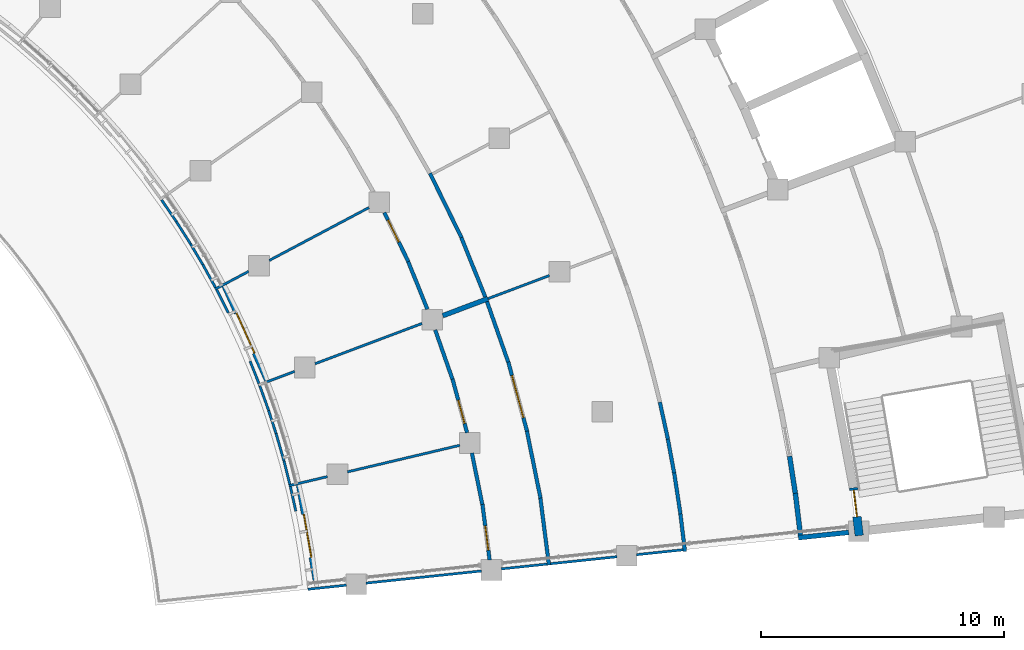
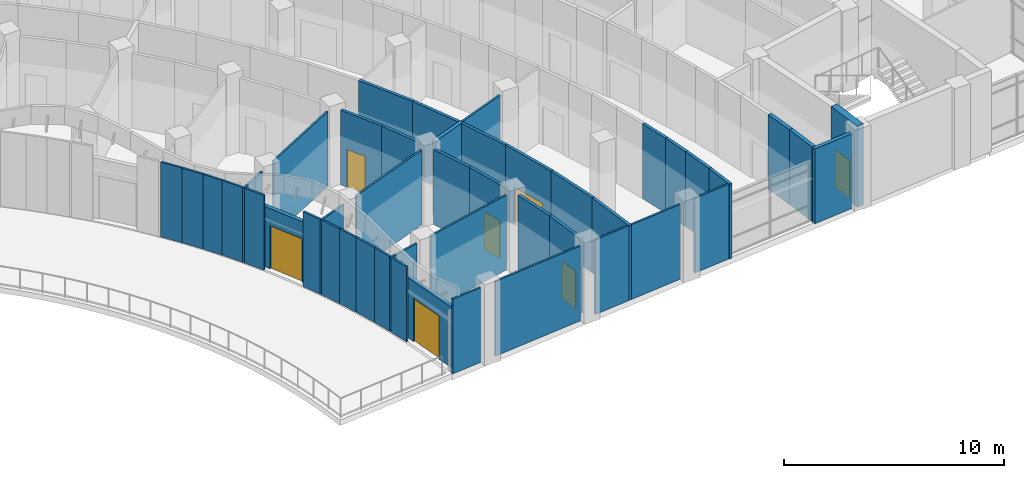
# One storey, part 76 of 136: 46 walls, 7 doors, 7 openings.
"""IFC4 building model written with IfcOpenShell, lengths in metres."""

from ifc_helpers import new_model, si_unit, direction, frame, frame_2d, origin, place, context, subcontext, project, spatial, rectangle, extrude, material, layer, layer_set, type_object, element, fill, save


model = new_model("IFC4")

# Units and contexts
model_context = context("Model", 3, precision=1e-05, world=origin(), true_north=direction((0.0, 1.0)))
body_context = subcontext(model_context, "Body", "Model", "MODEL_VIEW")
ifc_project = project(units=[si_unit("LENGTHUNIT", "METRE"), si_unit("AREAUNIT", "SQUARE_METRE"), si_unit("VOLUMEUNIT", "CUBIC_METRE"), si_unit("PLANEANGLEUNIT", "RADIAN"), si_unit("MASSUNIT", "GRAM", prefix="KILO")], contexts=[model_context])

# Site, building, storey
site_placement = place(None, origin())
site = spatial("IfcSite", under=ifc_project, at=site_placement, CompositionType="ELEMENT")
building_placement = place(site_placement, origin())
building = spatial("IfcBuilding", under=site, at=building_placement, Name="Bougainvillea Quay General Hospital", CompositionType="ELEMENT")
storey_placement = place(building_placement, frame((0.0, 0.0, 5.39990234375)))
storey = spatial("IfcBuildingStorey", under=building, at=storey_placement, Name="L01", CompositionType="ELEMENT", Elevation=5.39990234375)

# Wall, opening, door
ifc_material_1 = material(Name="Insulated aluminium panel cladding, anodised silver", Category="aluminium")
ifc_layer_1 = layer(ifc_material_1, 0.199951171875)
ifc_layer_set_1 = layer_set([ifc_layer_1], Name="Insulated aluminium panel cladding, anodised silver")
wall_type_1 = type_object("IfcWallType", Name="Entrance portal wall 200", PredefinedType="STANDARD", material=ifc_layer_set_1)
wall_1_placement = place(storey_placement, frame((139.549072265625, 38.089111328125, 0.0), z_axis=(0.0, 0.0, 1.0), x_axis=(0.411110484999, -0.911585524854, 0.0)))
wall_1 = element("IfcWall", 1, at=wall_1_placement, inside=storey, type_object=wall_type_1, Name="External wall wall/V6/L01/p2g1b5/00a", PredefinedType="STANDARD", context=body_context, shape_type="SweptSolid", body=[
    extrude(rectangle(XDim=4.368408203125, YDim=0.199951171875, at=frame_2d((2.18408203125, 0.0))), origin(), (0.0, 0.0, 1.0), 3.35009765625),
])
opening_1_placement = place(wall_1_placement, frame((1.283935546875, 0.0, 0.0)))
opening_1 = element("IfcOpeningElement", 2, at=opening_1_placement, cuts=wall_1, Name="Opening L01.336", PredefinedType="OPENING", context=body_context, shape_type="SweptSolid", body=[
    extrude(rectangle(XDim=1.800048828125, YDim=2.39990234375, at=frame_2d((0.89990234375, 1.199951171875))), frame((0.0, 0.10986328125, 0.0), z_axis=(0.0, -1.0, 0.0), x_axis=(1.0, 0.0, 0.0)), (0.0, 0.0, 1.0), 0.219970703125),
])
ifc_material_2 = material(Name="Aluminium and glass door set", Category="aluminium")
door_type_1 = type_object("IfcDoorType", Name="Terrace door 1800x2400", OperationType="DOUBLE_DOOR_SINGLE_SWING", PredefinedType="DOOR", material=ifc_material_2)
door_1_placement = place(opening_1_placement, origin())
door_1 = element("IfcDoor", 3, at=door_1_placement, inside=storey, type_object=door_type_1, Name="Quay Terrace door 3", OperationType="SINGLE_SWING_LEFT", OverallHeight=2.39990234375, OverallWidth=1.800048828125, PredefinedType="DOOR", context=body_context, shape_type="SweptSolid", body=[
    extrude(rectangle(XDim=1.800048828125, YDim=2.39990234375, at=frame_2d((0.89990234375, 1.199951171875))), frame((0.0, 0.02490234375, 0.0), z_axis=(0.0, -1.0, 0.0), x_axis=(1.0, 0.0, 0.0)), (0.0, 0.0, 1.0), 0.050048828125),
])
fill(opening_1, door_1)

wall_2_placement = place(storey_placement, frame((142.6279296875, 29.906005859375, 0.0), z_axis=(0.0, 0.0, 1.0), x_axis=(0.172540568976, -0.985002412209, 0.0)))
wall_2 = element("IfcWall", 4, at=wall_2_placement, inside=storey, type_object=wall_type_1, Name="External wall wall/V6/L01/p2g1b7/00a", PredefinedType="STANDARD", context=body_context, shape_type="SweptSolid", body=[
    extrude(rectangle(XDim=4.0283203125, YDim=0.199951171875, at=frame_2d((2.01416015625, 0.0))), origin(), (0.0, 0.0, 1.0), 3.35009765625),
])
opening_2_placement = place(wall_2_placement, frame((1.283935546875, 0.0, 0.0)))
opening_2 = element("IfcOpeningElement", 5, at=opening_2_placement, cuts=wall_2, Name="Opening L01.337", PredefinedType="OPENING", context=body_context, shape_type="SweptSolid", body=[
    extrude(rectangle(XDim=1.800048828125, YDim=2.39990234375, at=frame_2d((0.89990234375, 1.199951171875))), frame((0.0, 0.10986328125, 0.0), z_axis=(0.0, -1.0, 0.0), x_axis=(1.0, 0.0, 0.0)), (0.0, 0.0, 1.0), 0.219970703125),
])
door_2_placement = place(opening_2_placement, origin())
door_2 = element("IfcDoor", 6, at=door_2_placement, inside=storey, type_object=door_type_1, Name="Quay Terrace door 4", OperationType="SINGLE_SWING_LEFT", OverallHeight=2.39990234375, OverallWidth=1.800048828125, PredefinedType="DOOR", context=body_context, shape_type="SweptSolid", body=[
    extrude(rectangle(XDim=1.800048828125, YDim=2.39990234375, at=frame_2d((0.89990234375, 1.199951171875))), frame((0.0, 0.02490234375, 0.0), z_axis=(0.0, -1.0, 0.0), x_axis=(1.0, 0.0, 0.0)), (0.0, 0.0, 1.0), 0.050048828125),
])
fill(opening_2, door_2)

# Walls
ifc_material_3 = material(Name="Gypsum board partition on steel studs", Category="steel")
ifc_layer_2 = layer(ifc_material_3, 0.10009765625)
ifc_layer_set_2 = layer_set([ifc_layer_2], Name="Gypsum board partition on steel studs")
wall_type_2 = type_object("IfcWallType", Name="Partition 100 Gypsum board partition", PredefinedType="PARTITIONING", material=ifc_layer_set_2)
wall_3_placement = place(storey_placement, frame((153.008544921875, 26.60791015625, 0.0), z_axis=(0.0, 0.0, 1.0), x_axis=(0.99452300046, 0.104517948486, 0.0)))
element("IfcWall", 7, at=wall_3_placement, inside=storey, type_object=wall_type_2, Name="Partition 100 mm", PredefinedType="PARTITIONING", context=body_context, shape_type="SweptSolid", body=[
    extrude(rectangle(XDim=2.742431640625, YDim=0.10009765625, at=frame_2d((1.37109375, 0.0))), origin(), (0.0, 0.0, 1.0), 4.150146484375),
])
wall_4_placement = place(storey_placement, frame((156.546142578125, 26.979736328125, 0.0), z_axis=(0.0, 0.0, 1.0), x_axis=(0.994518703868, 0.104558823905, 0.0)))
element("IfcWall", 8, at=wall_4_placement, inside=storey, type_object=wall_type_2, Name="Partition 100 mm", PredefinedType="PARTITIONING", context=body_context, shape_type="SweptSolid", body=[
    extrude(rectangle(XDim=1.9169921875, YDim=0.10009765625, at=frame_2d((0.95849609375, 0.0))), origin(), (0.0, 0.0, 1.0), 4.150146484375),
])
ifc_layer_3 = layer(ifc_material_3, 0.10009765625)
ifc_layer_set_3 = layer_set([ifc_layer_3], Name="Gypsum board partition on steel studs")
wall_type_3 = type_object("IfcWallType", Name="Partition 100 Gypsum board partition EI 30", PredefinedType="PARTITIONING", material=ifc_layer_set_3)
wall_5_placement = place(storey_placement, frame((142.2373046875, 29.819580078125, 0.0), z_axis=(0.0, 0.0, 1.0), x_axis=(0.973152848226, 0.230159800984, 0.0)))
element("IfcWall", 9, at=wall_5_placement, inside=storey, type_object=wall_type_3, Name="Partition 100 mm EI 30", PredefinedType="PARTITIONING", context=body_context, shape_type="SweptSolid", body=[
    extrude(rectangle(XDim=1.627197265625, YDim=0.10009765625, at=frame_2d((0.8134765625, 0.0))), origin(), (0.0, 0.0, 1.0), 4.150146484375),
])
wall_6_placement = place(storey_placement, frame((144.643310546875, 30.388916015625, 0.0), z_axis=(0.0, 0.0, 1.0), x_axis=(0.973139038387, 0.230218183398, 0.0)))
element("IfcWall", 10, at=wall_6_placement, inside=storey, type_object=wall_type_3, Name="Partition 100 mm EI 30", PredefinedType="PARTITIONING", context=body_context, shape_type="SweptSolid", body=[
    extrude(rectangle(XDim=4.755126953125, YDim=0.10009765625, at=frame_2d((2.37744140625, 0.0))), origin(), (0.0, 0.0, 1.0), 4.150146484375),
])
wall_7_placement = place(storey_placement, frame((139.19287109375, 37.90771484375, 0.0), z_axis=(0.0, 0.0, 1.0), x_axis=(0.883481589726, 0.468465879884, 0.0)))
element("IfcWall", 11, at=wall_7_placement, inside=storey, type_object=wall_type_3, Name="Partition 100 mm EI 30", PredefinedType="PARTITIONING", context=body_context, shape_type="SweptSolid", body=[
    extrude(rectangle(XDim=1.5712890625, YDim=0.10009765625, at=frame_2d((0.78564453125, 0.0))), origin(), (0.0, 0.0, 1.0), 4.150146484375),
])
wall_8_placement = place(storey_placement, frame((141.427001953125, 39.092529296875, 0.0), z_axis=(0.0, 0.0, 1.0), x_axis=(0.88344099274, 0.46854243388, 0.0)))
element("IfcWall", 12, at=wall_8_placement, inside=storey, type_object=wall_type_3, Name="Partition 100 mm EI 30", PredefinedType="PARTITIONING", context=body_context, shape_type="SweptSolid", body=[
    extrude(rectangle(XDim=4.64208984375, YDim=0.10009765625, at=frame_2d((2.321044921875, 0.0))), origin(), (0.0, 0.0, 1.0), 4.150146484375),
])
wall_9_placement = place(storey_placement, frame((143.012939453125, 25.555908203125, 0.0), z_axis=(0.0, 0.0, 1.0), x_axis=(0.994495375694, 0.104780473964, 0.0)))
element("IfcWall", 13, at=wall_9_placement, inside=storey, type_object=wall_type_3, Name="Partition 100 mm EI 30", PredefinedType="PARTITIONING", context=body_context, shape_type="SweptSolid", body=[
    extrude(rectangle(XDim=1.59375, YDim=0.10009765625, at=frame_2d((0.796875, 0.0))), origin(), (0.0, 0.0, 1.0), 4.150146484375),
])
wall_10_placement = place(storey_placement, frame((145.408203125, 25.80810546875, 0.0), z_axis=(0.0, 0.0, 1.0), x_axis=(0.994509645665, 0.104644945786, 0.0)))
element("IfcWall", 14, at=wall_10_placement, inside=storey, type_object=wall_type_3, Name="Partition 100 mm EI 30", PredefinedType="PARTITIONING", context=body_context, shape_type="SweptSolid", body=[
    extrude(rectangle(XDim=4.78515625, YDim=0.10009765625, at=frame_2d((2.392578125, 0.0))), origin(), (0.0, 0.0, 1.0), 4.150146484375),
])
wall_11_placement = place(storey_placement, frame((140.97314453125, 33.96044921875, 0.0), z_axis=(0.0, 0.0, 1.0), x_axis=(0.935890679388, 0.35229055655, 0.0)))
element("IfcWall", 15, at=wall_11_placement, inside=storey, type_object=wall_type_3, Name="Partition 100 mm EI 30", PredefinedType="PARTITIONING", context=body_context, shape_type="SweptSolid", body=[
    extrude(rectangle(XDim=1.604248046875, YDim=0.10009765625, at=frame_2d((0.80224609375, 0.0))), origin(), (0.0, 0.0, 1.0), 4.150146484375),
])
wall_12_placement = place(storey_placement, frame((143.309326171875, 34.839599609375, 0.0), z_axis=(0.0, 0.0, 1.0), x_axis=(0.935891610639, 0.352288082591, 0.0)))
element("IfcWall", 16, at=wall_12_placement, inside=storey, type_object=wall_type_3, Name="Partition 100 mm EI 30", PredefinedType="PARTITIONING", context=body_context, shape_type="SweptSolid", body=[
    extrude(rectangle(XDim=4.708251953125, YDim=0.10009765625, at=frame_2d((2.35400390625, 0.0))), origin(), (0.0, 0.0, 1.0), 4.150146484375),
])
wall_13_placement = place(storey_placement, frame((150.42724609375, 37.518798828125, 0.0), z_axis=(0.0, 0.0, 1.0), x_axis=(0.935894141782, 0.352281358262, 0.0)))
element("IfcWall", 17, at=wall_13_placement, inside=storey, type_object=wall_type_3, Name="Partition 100 mm EI 30", PredefinedType="PARTITIONING", context=body_context, shape_type="SweptSolid", body=[
    extrude(rectangle(XDim=2.702880859375, YDim=0.10009765625, at=frame_2d((1.3515625, 0.0))), origin(), (0.0, 0.0, 1.0), 4.150146484375),
])
wall_14_placement = place(storey_placement, frame((150.97705078125, 26.39404296875, 0.0), z_axis=(0.0, 0.0, 1.0), x_axis=(0.99450757419, 0.104664630505, 0.0)))
element("IfcWall", 18, at=wall_14_placement, inside=storey, type_object=wall_type_3, Name="Partition 100 mm EI 30", PredefinedType="PARTITIONING", context=body_context, shape_type="SweptSolid", body=[
    extrude(rectangle(XDim=1.891845703125, YDim=0.10009765625, at=frame_2d((0.94580078125, 0.0))), origin(), (0.0, 0.0, 1.0), 4.150146484375),
])
wall_15_placement = place(storey_placement, frame((139.260009765625, 37.8857421875, 0.0), z_axis=(0.0, 0.0, 1.0), x_axis=(0.454251585092, -0.890873446367, 0.0)))
element("IfcWall", 19, at=wall_15_placement, inside=storey, type_object=wall_type_3, Name="Partition 100 mm EI 30", PredefinedType="PARTITIONING", context=body_context, shape_type="SweptSolid", body=[
    extrude(rectangle(XDim=1.06640625, YDim=0.10009765625, at=frame_2d((0.533203125, 0.0))), origin(), (0.0, 0.0, 1.0), 4.150146484375),
])
wall_16_placement = place(storey_placement, frame((141.705078125, 31.97314453125, 0.0), z_axis=(0.0, 0.0, 1.0), x_axis=(0.276407300439, -0.961040584088, 0.0)))
element("IfcWall", 20, at=wall_16_placement, inside=storey, type_object=wall_type_3, Name="Partition 100 mm EI 30", PredefinedType="PARTITIONING", context=body_context, shape_type="SweptSolid", body=[
    extrude(rectangle(XDim=1.185302734375, YDim=0.10009765625, at=frame_2d((0.5927734375, 0.0))), origin(), (0.0, 0.0, 1.0), 4.150146484375),
])
wall_17_placement = place(storey_placement, frame((136.99365234375, 41.58203125, 0.0), z_axis=(0.0, 0.0, 1.0), x_axis=(0.564070256428, -0.825726798532, 0.0)))
element("IfcWall", 21, at=wall_17_placement, inside=storey, type_object=wall_type_3, Name="Partition 100 mm EI 30", PredefinedType="PARTITIONING", context=body_context, shape_type="SweptSolid", body=[
    extrude(rectangle(XDim=1.084228515625, YDim=0.10009765625, at=frame_2d((0.5419921875, 0.0))), origin(), (0.0, 0.0, 1.0), 4.150146484375),
])
wall_18_placement = place(storey_placement, frame((137.60302734375, 40.68701171875, 0.0), z_axis=(0.0, 0.0, 1.0), x_axis=(0.53747146193, -0.843281938388, 0.0)))
element("IfcWall", 22, at=wall_18_placement, inside=storey, type_object=wall_type_3, Name="Partition 100 mm EI 30", PredefinedType="PARTITIONING", context=body_context, shape_type="SweptSolid", body=[
    extrude(rectangle(XDim=1.08642578125, YDim=0.10009765625, at=frame_2d((0.543212890625, 0.0))), origin(), (0.0, 0.0, 1.0), 4.150146484375),
])
wall_19_placement = place(storey_placement, frame((138.68896484375, 38.9248046875, 0.0), z_axis=(0.0, 0.0, 1.0), x_axis=(0.482886802116, -0.875682782942, 0.0)))
element("IfcWall", 23, at=wall_19_placement, inside=storey, type_object=wall_type_3, Name="Partition 100 mm EI 30", PredefinedType="PARTITIONING", context=body_context, shape_type="SweptSolid", body=[
    extrude(rectangle(XDim=1.083984375, YDim=0.10009765625, at=frame_2d((0.5419921875, 0.0))), origin(), (0.0, 0.0, 1.0), 4.150146484375),
])
wall_20_placement = place(storey_placement, frame((140.639892578125, 34.94189453125, 0.0), z_axis=(0.0, 0.0, 1.0), x_axis=(0.366901413892, -0.93025983063, 0.0)))
element("IfcWall", 24, at=wall_20_placement, inside=storey, type_object=wall_type_3, Name="Partition 100 mm EI 30", PredefinedType="PARTITIONING", context=body_context, shape_type="SweptSolid", body=[
    extrude(rectangle(XDim=0.985595703125, YDim=0.10009765625, at=frame_2d((0.49267578125, 0.0))), origin(), (0.0, 0.0, 1.0), 4.150146484375),
])
wall_21_placement = place(storey_placement, frame((141.037109375, 33.93017578125, 0.0), z_axis=(0.0, 0.0, 1.0), x_axis=(0.337434932816, -0.941348854631, 0.0)))
element("IfcWall", 25, at=wall_21_placement, inside=storey, type_object=wall_type_3, Name="Partition 100 mm EI 30", PredefinedType="PARTITIONING", context=body_context, shape_type="SweptSolid", body=[
    extrude(rectangle(XDim=1.083740234375, YDim=0.10009765625, at=frame_2d((0.5419921875, 0.0))), origin(), (0.0, 0.0, 1.0), 4.150146484375),
])
wall_22_placement = place(storey_placement, frame((141.40087890625, 32.910888671875, 0.0), z_axis=(0.0, 0.0, 1.0), x_axis=(0.307089469025, -0.951680649175, 0.0)))
element("IfcWall", 26, at=wall_22_placement, inside=storey, type_object=wall_type_3, Name="Partition 100 mm EI 30", PredefinedType="PARTITIONING", context=body_context, shape_type="SweptSolid", body=[
    extrude(rectangle(XDim=0.9873046875, YDim=0.10009765625, at=frame_2d((0.49365234375, 0.0))), origin(), (0.0, 0.0, 1.0), 4.150146484375),
])
wall_23_placement = place(storey_placement, frame((142.031005859375, 30.8349609375, 0.0), z_axis=(0.0, 0.0, 1.0), x_axis=(0.246091023995, -0.969246721898, 0.0)))
element("IfcWall", 27, at=wall_23_placement, inside=storey, type_object=wall_type_3, Name="Partition 100 mm EI 30", PredefinedType="PARTITIONING", context=body_context, shape_type="SweptSolid", body=[
    extrude(rectangle(XDim=0.985107421875, YDim=0.10009765625, at=frame_2d((0.49267578125, 0.0))), origin(), (0.0, 0.0, 1.0), 4.150146484375),
])
wall_24_placement = place(storey_placement, frame((142.296875, 29.781494140625, 0.0), z_axis=(0.0, 0.0, 1.0), x_axis=(0.214929366895, -0.976629595725, 0.0)))
element("IfcWall", 28, at=wall_24_placement, inside=storey, type_object=wall_type_3, Name="Partition 100 mm EI 30", PredefinedType="PARTITIONING", context=body_context, shape_type="SweptSolid", body=[
    extrude(rectangle(XDim=1.03369140625, YDim=0.10009765625, at=frame_2d((0.516845703125, 0.0))), origin(), (0.0, 0.0, 1.0), 4.150146484375),
])
wall_25_placement = place(storey_placement, frame((138.184814453125, 39.771240234375, 0.0), z_axis=(0.0, 0.0, 1.0), x_axis=(0.51019570921, -0.860058334245, 0.0)))
element("IfcWall", 29, at=wall_25_placement, inside=storey, type_object=wall_type_3, Name="Partition 100 mm EI 30", PredefinedType="PARTITIONING", context=body_context, shape_type="SweptSolid", body=[
    extrude(rectangle(XDim=0.98681640625, YDim=0.10009765625, at=frame_2d((0.493408203125, 0.0))), origin(), (0.0, 0.0, 1.0), 4.150146484375),
])
ifc_material_4 = material(Name="Gypsum board partition on steel studs, insulated", Category="steel")
ifc_layer_4 = layer(ifc_material_4, 0.14990234375)
ifc_layer_set_4 = layer_set([ifc_layer_4], Name="Gypsum board partition on steel studs, insulated")
wall_type_4 = type_object("IfcWallType", Name="Partition 150 Gypsum board partition EI 30", PredefinedType="PARTITIONING", material=ifc_layer_set_4)
wall_26_placement = place(storey_placement, frame((148.0380859375, 42.683349609375, 0.0), z_axis=(0.0, 0.0, 1.0), x_axis=(0.440200278942, -0.897899612663, 0.0)))
element("IfcWall", 30, at=wall_26_placement, inside=storey, type_object=wall_type_4, Name="Partition 150 mm EI 30", PredefinedType="PARTITIONING", context=body_context, shape_type="SweptSolid", body=[
    extrude(rectangle(XDim=2.957763671875, YDim=0.14990234375, at=frame_2d((1.47900390625, 0.0))), origin(), (0.0, 0.0, 1.0), 4.150146484375),
])

# Wall, opening, door
wall_27_placement = place(storey_placement, frame((151.264404296875, 34.91650390625, 0.0), z_axis=(0.0, 0.0, 1.0), x_axis=(0.261098222271, -0.965312238774, 0.0)))
wall_27 = element("IfcWall", 31, at=wall_27_placement, inside=storey, type_object=wall_type_4, Name="Partition 150 mm EI 30", PredefinedType="PARTITIONING", context=body_context, shape_type="SweptSolid", body=[
    extrude(rectangle(XDim=2.95751953125, YDim=0.14990234375, at=frame_2d((1.478759765625, 0.0))), origin(), (0.0, 0.0, 1.0), 4.150146484375),
])
opening_3_placement = place(wall_27_placement, frame((0.57861328125, 0.0, 0.0)))
opening_3 = element("IfcOpeningElement", 32, at=opening_3_placement, cuts=wall_27, Name="Opening L01.234", PredefinedType="OPENING", context=body_context, shape_type="SweptSolid", body=[
    extrude(rectangle(XDim=1.800048828125, YDim=2.10009765625, at=frame_2d((0.89990234375, 1.050048828125))), frame((0.0, 0.0849609375, 0.0), z_axis=(0.0, -1.0, 0.0), x_axis=(1.0, 0.0, 0.0)), (0.0, 0.0, 1.0), 0.169921875),
])
ifc_material_5 = material(Name="Solid-core timber door leaves in steel frame", Category="steel")
door_type_2 = type_object("IfcDoorType", Name="Double leaf door 1800x2100", OperationType="DOUBLE_DOOR_SINGLE_SWING", PredefinedType="DOOR", material=ifc_material_5)
door_3_placement = place(opening_3_placement, frame((1.800048828125, 0.0, 0.0), z_axis=(0.0, 0.0, 1.0), x_axis=(-1.0, 0.0, 0.0)))
door_3 = element("IfcDoor", 33, at=door_3_placement, inside=storey, type_object=door_type_2, Name="DT08 L01.234", OperationType="DOUBLE_DOOR_SINGLE_SWING", OverallHeight=2.10009765625, OverallWidth=1.800048828125, PredefinedType="DOOR", context=body_context, shape_type="SweptSolid", body=[
    extrude(rectangle(XDim=1.800048828125, YDim=2.10009765625, at=frame_2d((0.89990234375, 1.050048828125))), frame((0.0, 0.02490234375, 0.0), z_axis=(0.0, -1.0, 0.0), x_axis=(1.0, 0.0, 0.0)), (0.0, 0.0, 1.0), 0.050048828125),
])
fill(opening_3, door_3)

# Walls
wall_28_placement = place(storey_placement, frame((152.031005859375, 32.06494140625, 0.0), z_axis=(0.0, 0.0, 1.0), x_axis=(0.199104225367, -0.979978319883, 0.0)))
element("IfcWall", 34, at=wall_28_placement, inside=storey, type_object=wall_type_4, Name="Partition 150 mm EI 30", PredefinedType="PARTITIONING", context=body_context, shape_type="SweptSolid", body=[
    extrude(rectangle(XDim=2.811767578125, YDim=0.14990234375, at=frame_2d((1.40576171875, 0.0))), origin(), (0.0, 0.0, 1.0), 4.150146484375),
])
wall_29_placement = place(storey_placement, frame((149.3330078125, 40.0302734375, 0.0), z_axis=(0.0, 0.0, 1.0), x_axis=(0.373865497673, -0.927482932269, 0.0)))
element("IfcWall", 35, at=wall_29_placement, inside=storey, type_object=wall_type_4, Name="Partition 150 mm EI 30", PredefinedType="PARTITIONING", context=body_context, shape_type="SweptSolid", body=[
    extrude(rectangle(XDim=2.635009765625, YDim=0.14990234375, at=frame_2d((1.3173828125, 0.0))), origin(), (0.0, 0.0, 1.0), 4.150146484375),
])
wall_30_placement = place(storey_placement, frame((152.5849609375, 29.313720703125, 0.0), z_axis=(0.0, 0.0, 1.0), x_axis=(0.127582082385, -0.991828015462, 0.0)))
element("IfcWall", 36, at=wall_30_placement, inside=storey, type_object=wall_type_4, Name="Partition 150 mm EI 30", PredefinedType="PARTITIONING", context=body_context, shape_type="SweptSolid", body=[
    extrude(rectangle(XDim=2.7861328125, YDim=0.14990234375, at=frame_2d((1.39306640625, 0.0))), origin(), (0.0, 0.0, 1.0), 4.150146484375),
])
wall_31_placement = place(storey_placement, frame((150.3896484375, 37.39599609375, 0.0), z_axis=(0.0, 0.0, 1.0), x_axis=(0.330759074405, -0.943715229663, 0.0)))
element("IfcWall", 37, at=wall_31_placement, inside=storey, type_object=wall_type_4, Name="Partition 150 mm EI 30", PredefinedType="PARTITIONING", context=body_context, shape_type="SweptSolid", body=[
    extrude(rectangle(XDim=2.63427734375, YDim=0.14990234375, at=frame_2d((1.317138671875, 0.0))), origin(), (0.0, 0.0, 1.0), 4.150146484375),
])

# Wall, opening, door
wall_32_placement = place(storey_placement, frame((146.162841796875, 41.059814453125, 0.0), z_axis=(0.0, 0.0, 1.0), x_axis=(0.439946079235, -0.898024190858, 0.0)))
wall_32 = element("IfcWall", 38, at=wall_32_placement, inside=storey, type_object=wall_type_4, Name="Partition 150 mm EI 30", PredefinedType="PARTITIONING", context=body_context, shape_type="SweptSolid", body=[
    extrude(rectangle(XDim=2.24853515625, YDim=0.14990234375, at=frame_2d((1.124267578125, 0.0))), origin(), (0.0, 0.0, 1.0), 4.150146484375),
])
opening_4_placement = place(wall_32_placement, frame((0.345947265625, 0.0, 0.0)))
opening_4 = element("IfcOpeningElement", 39, at=opening_4_placement, cuts=wall_32, Name="Opening L01.281", PredefinedType="OPENING", context=body_context, shape_type="SweptSolid", body=[
    extrude(rectangle(XDim=1.0, YDim=2.10009765625, at=frame_2d((0.5, 1.050048828125))), frame((0.0, 0.0849609375, 0.0), z_axis=(0.0, -1.0, 0.0), x_axis=(1.0, 0.0, 0.0)), (0.0, 0.0, 1.0), 0.169921875),
])
ifc_material_6 = material(Name="Solid-core timber door leaf in steel frame", Category="steel")
door_type_3 = type_object("IfcDoorType", Name="Single leaf door 1000x2100 FD30S", OperationType="NOTDEFINED", PredefinedType="DOOR", material=ifc_material_6)
door_4_placement = place(opening_4_placement, frame((1.0, 0.0, 0.0), z_axis=(0.0, 0.0, 1.0), x_axis=(-1.0, 0.0, 0.0)))
door_4 = element("IfcDoor", 40, at=door_4_placement, inside=storey, type_object=door_type_3, Name="DT15 L01.281", OperationType="SINGLE_SWING_RIGHT", OverallHeight=2.10009765625, OverallWidth=1.0, PredefinedType="DOOR", context=body_context, shape_type="SweptSolid", body=[
    extrude(rectangle(XDim=1.0, YDim=2.10009765625, at=frame_2d((0.5, 1.050048828125))), frame((0.0, 0.02490234375, 0.0), z_axis=(0.0, -1.0, 0.0), x_axis=(1.0, 0.0, 0.0)), (0.0, 0.0, 1.0), 0.050048828125),
])
fill(opening_4, door_4)

wall_33_placement = place(storey_placement, frame((148.968505859375, 34.21533203125, 0.0), z_axis=(0.0, 0.0, 1.0), x_axis=(0.26138863195, -0.965233641709, 0.0)))
wall_33 = element("IfcWall", 41, at=wall_33_placement, inside=storey, type_object=wall_type_4, Name="Partition 150 mm EI 30", PredefinedType="PARTITIONING", context=body_context, shape_type="SweptSolid", body=[
    extrude(rectangle(XDim=2.294921875, YDim=0.14990234375, at=frame_2d((1.1474609375, 0.0))), origin(), (0.0, 0.0, 1.0), 4.150146484375),
])
opening_5_placement = place(wall_33_placement, frame((0.902099609375, 0.0, 0.0)))
opening_5 = element("IfcOpeningElement", 42, at=opening_5_placement, cuts=wall_33, Name="Opening L01.282", PredefinedType="OPENING", context=body_context, shape_type="SweptSolid", body=[
    extrude(rectangle(XDim=1.0, YDim=2.10009765625, at=frame_2d((0.5, 1.050048828125))), frame((0.0, 0.0849609375, 0.0), z_axis=(0.0, -1.0, 0.0), x_axis=(1.0, 0.0, 0.0)), (0.0, 0.0, 1.0), 0.169921875),
])
door_5_placement = place(opening_5_placement, frame((1.0, 0.0, 0.0), z_axis=(0.0, 0.0, 1.0), x_axis=(-1.0, 0.0, 0.0)))
door_5 = element("IfcDoor", 43, at=door_5_placement, inside=storey, type_object=door_type_3, Name="DT15 L01.282", OperationType="SINGLE_SWING_LEFT", OverallHeight=2.10009765625, OverallWidth=1.0, PredefinedType="DOOR", context=body_context, shape_type="SweptSolid", body=[
    extrude(rectangle(XDim=1.0, YDim=2.10009765625, at=frame_2d((0.5, 1.050048828125))), frame((0.0, 0.02490234375, 0.0), z_axis=(0.0, -1.0, 0.0), x_axis=(1.0, 0.0, 0.0)), (0.0, 0.0, 1.0), 0.050048828125),
])
fill(opening_5, door_5)

wall_34_placement = place(storey_placement, frame((150.200439453125, 29.055419921875, 0.0), z_axis=(0.0, 0.0, 1.0), x_axis=(0.127773812466, -0.991803333755, 0.0)))
wall_34 = element("IfcWall", 44, at=wall_34_placement, inside=storey, type_object=wall_type_4, Name="Partition 150 mm EI 30", PredefinedType="PARTITIONING", context=body_context, shape_type="SweptSolid", body=[
    extrude(rectangle(XDim=2.31396484375, YDim=0.14990234375, at=frame_2d((1.156982421875, 0.0))), origin(), (0.0, 0.0, 1.0), 4.150146484375),
])
opening_6_placement = place(wall_34_placement, frame((0.90185546875, 0.0, 0.0)))
opening_6 = element("IfcOpeningElement", 45, at=opening_6_placement, cuts=wall_34, Name="Opening L01.283", PredefinedType="OPENING", context=body_context, shape_type="SweptSolid", body=[
    extrude(rectangle(XDim=1.0, YDim=2.10009765625, at=frame_2d((0.5, 1.050048828125))), frame((0.0, 0.0849609375, 0.0), z_axis=(0.0, -1.0, 0.0), x_axis=(1.0, 0.0, 0.0)), (0.0, 0.0, 1.0), 0.169921875),
])
door_6_placement = place(opening_6_placement, frame((1.0, 0.0, 0.0), z_axis=(0.0, 0.0, 1.0), x_axis=(-1.0, 0.0, 0.0)))
door_6 = element("IfcDoor", 46, at=door_6_placement, inside=storey, type_object=door_type_3, Name="DT15 L01.283", OperationType="SINGLE_SWING_LEFT", OverallHeight=2.10009765625, OverallWidth=1.0, PredefinedType="DOOR", context=body_context, shape_type="SweptSolid", body=[
    extrude(rectangle(XDim=1.0, YDim=2.10009765625, at=frame_2d((0.5, 1.050048828125))), frame((0.0, 0.02490234375, 0.0), z_axis=(0.0, -1.0, 0.0), x_axis=(1.0, 0.0, 0.0)), (0.0, 0.0, 1.0), 0.050048828125),
])
fill(opening_6, door_6)

# Walls
wall_35_placement = place(storey_placement, frame((147.14501953125, 39.043212890625, 0.0), z_axis=(0.0, 0.0, 1.0), x_axis=(0.373899406404, -0.927469263043, 0.0)))
element("IfcWall", 47, at=wall_35_placement, inside=storey, type_object=wall_type_4, Name="Partition 150 mm EI 30", PredefinedType="PARTITIONING", context=body_context, shape_type="SweptSolid", body=[
    extrude(rectangle(XDim=2.113037109375, YDim=0.14990234375, at=frame_2d((1.056640625, 0.0))), origin(), (0.0, 0.0, 1.0), 4.150146484375),
])
wall_36_placement = place(storey_placement, frame((148.256591796875, 36.231689453125, 0.0), z_axis=(0.0, 0.0, 1.0), x_axis=(0.330477279651, -0.943813947574, 0.0)))
element("IfcWall", 48, at=wall_36_placement, inside=storey, type_object=wall_type_4, Name="Partition 150 mm EI 30", PredefinedType="PARTITIONING", context=body_context, shape_type="SweptSolid", body=[
    extrude(rectangle(XDim=2.14306640625, YDim=0.14990234375, at=frame_2d((1.071533203125, 0.0))), origin(), (0.0, 0.0, 1.0), 4.150146484375),
])
wall_37_placement = place(storey_placement, frame((149.76611328125, 31.16650390625, 0.0), z_axis=(0.0, 0.0, 1.0), x_axis=(0.199027700979, -0.97999386439, 0.0)))
element("IfcWall", 49, at=wall_37_placement, inside=storey, type_object=wall_type_4, Name="Partition 150 mm EI 30", PredefinedType="PARTITIONING", context=body_context, shape_type="SweptSolid", body=[
    extrude(rectangle(XDim=2.16015625, YDim=0.14990234375, at=frame_2d((1.080078125, 0.0))), origin(), (0.0, 0.0, 1.0), 4.150146484375),
])
wall_38_placement = place(storey_placement, frame((157.50244140625, 33.2587890625, 0.0), z_axis=(0.0, 0.0, 1.0), x_axis=(0.213617594112, -0.976917357552, 0.0)))
element("IfcWall", 50, at=wall_38_placement, inside=storey, type_object=wall_type_4, Name="Partition 150 mm EI 30", PredefinedType="PARTITIONING", context=body_context, shape_type="SweptSolid", body=[
    extrude(rectangle(XDim=1.561279296875, YDim=0.14990234375, at=frame_2d((0.78076171875, 0.0))), origin(), (0.0, 0.0, 1.0), 4.150146484375),
])
wall_39_placement = place(storey_placement, frame((158.092529296875, 30.34912109375, 0.0), z_axis=(0.0, 0.0, 1.0), x_axis=(0.15143450376, -0.98846729388, 0.0)))
element("IfcWall", 51, at=wall_39_placement, inside=storey, type_object=wall_type_4, Name="Partition 150 mm EI 30", PredefinedType="PARTITIONING", context=body_context, shape_type="SweptSolid", body=[
    extrude(rectangle(XDim=1.708984375, YDim=0.14990234375, at=frame_2d((0.8544921875, 0.0))), origin(), (0.0, 0.0, 1.0), 4.150146484375),
])
wall_40_placement = place(storey_placement, frame((157.833251953125, 31.735595703125, 0.0), z_axis=(0.0, 0.0, 1.0), x_axis=(0.182305830885, -0.98324187463, 0.0)))
element("IfcWall", 52, at=wall_40_placement, inside=storey, type_object=wall_type_4, Name="Partition 150 mm EI 30", PredefinedType="PARTITIONING", context=body_context, shape_type="SweptSolid", body=[
    extrude(rectangle(XDim=1.412841796875, YDim=0.14990234375, at=frame_2d((0.70654296875, 0.0))), origin(), (0.0, 0.0, 1.0), 4.150146484375),
])
wall_41_placement = place(storey_placement, frame((158.348876953125, 28.661865234375, 0.0), z_axis=(0.0, 0.0, 1.0), x_axis=(0.120681951102, -0.992691224238, 0.0)))
element("IfcWall", 53, at=wall_41_placement, inside=storey, type_object=wall_type_4, Name="Partition 150 mm EI 30", PredefinedType="PARTITIONING", context=body_context, shape_type="SweptSolid", body=[
    extrude(rectangle(XDim=1.559814453125, YDim=0.14990234375, at=frame_2d((0.77978515625, 0.0))), origin(), (0.0, 0.0, 1.0), 4.150146484375),
])
ifc_material_7 = material(Name="Fire-rated autoclaved aerated block wall, plastered")
ifc_layer_5 = layer(ifc_material_7, 0.199951171875)
ifc_layer_set_5 = layer_set([ifc_layer_5], Name="Fire-rated autoclaved aerated block wall, plastered")
wall_type_5 = type_object("IfcWallType", Name="Partition 200 Fire-rated autoclaved aerated block wall EI 120", PredefinedType="SOLIDWALL", material=ifc_layer_set_5)
wall_42_placement = place(storey_placement, frame((163.202392578125, 27.679443359375, 0.0), z_axis=(0.0, 0.0, 1.0), x_axis=(0.994514424739, 0.104599517143, 0.0)))
element("IfcWall", 54, at=wall_42_placement, inside=storey, type_object=wall_type_5, Name="Partition 200 mm EI 120", PredefinedType="SOLIDWALL", context=body_context, shape_type="SweptSolid", body=[
    extrude(rectangle(XDim=2.086669921875, YDim=0.199951171875, at=frame_2d((1.04345703125, 0.0))), origin(), (0.0, 0.0, 1.0), 4.150146484375),
])
wall_43_placement = place(storey_placement, frame((148.5673828125, 36.81884765625, 0.0), z_axis=(0.0, 0.0, 1.0), x_axis=(0.935934561344, 0.352173958268, 0.0)))
element("IfcWall", 55, at=wall_43_placement, inside=storey, type_object=wall_type_5, Name="Partition 200 mm EI 120", PredefinedType="SOLIDWALL", context=body_context, shape_type="SweptSolid", body=[
    extrude(rectangle(XDim=1.986083984375, YDim=0.199951171875, at=frame_2d((0.9931640625, 0.0))), origin(), (0.0, 0.0, 1.0), 4.150146484375),
])
wall_44_placement = place(storey_placement, frame((163.0810546875, 29.51220703125, 0.0), z_axis=(0.0, 0.0, 1.0), x_axis=(0.120377618692, -0.992728174738, 0.0)))
element("IfcWall", 56, at=wall_44_placement, inside=storey, type_object=wall_type_5, Name="Partition 200 mm EI 120", PredefinedType="SOLIDWALL", context=body_context, shape_type="SweptSolid", body=[
    extrude(rectangle(XDim=1.734130859375, YDim=0.199951171875, at=frame_2d((0.8671875, 0.0))), origin(), (0.0, 0.0, 1.0), 4.150146484375),
])
wall_45_placement = place(storey_placement, frame((162.84375, 31.0322265625, 0.0), z_axis=(0.0, 0.0, 1.0), x_axis=(0.152211909299, -0.9883478814, 0.0)))
element("IfcWall", 57, at=wall_45_placement, inside=storey, type_object=wall_type_5, Name="Partition 200 mm EI 120", PredefinedType="SOLIDWALL", context=body_context, shape_type="SweptSolid", body=[
    extrude(rectangle(XDim=1.54150390625, YDim=0.199951171875, at=frame_2d((0.770751953125, 0.0))), origin(), (0.0, 0.0, 1.0), 4.150146484375),
])

# Wall, opening, door
ifc_material_8 = material(Name="Concrete C40", Category="concrete")
ifc_layer_6 = layer(ifc_material_8, 0.35009765625)
ifc_layer_set_6 = layer_set([ifc_layer_6], Name="Concrete C40")
wall_type_6 = type_object("IfcWallType", Name="RC SHEAR WALL 350 C40", PredefinedType="SHEAR", material=ifc_layer_set_6)
wall_46_placement = place(storey_placement, frame((165.470703125, 29.734375, 0.0), z_axis=(0.0, 0.0, 1.0), x_axis=(0.12025777275, -0.992742699844, 0.0)))
wall_46 = element("IfcWall", 58, at=wall_46_placement, inside=storey, type_object=wall_type_6, Name="Shear wall L01", PredefinedType="SHEAR", context=body_context, shape_type="SweptSolid", body=[
    extrude(rectangle(XDim=1.9814453125, YDim=0.35009765625, at=frame_2d((0.99072265625, 0.0))), origin(), (0.0, 0.0, 1.0), 4.5),
])
opening_7_placement = place(wall_46_placement, frame((0.10009765625, 0.0, 0.0)))
opening_7 = element("IfcOpeningElement", 59, at=opening_7_placement, cuts=wall_46, Name="Opening L01.319", PredefinedType="OPENING", context=body_context, shape_type="SweptSolid", body=[
    extrude(rectangle(XDim=1.10009765625, YDim=2.10009765625, at=frame_2d((0.550048828125, 1.050048828125))), frame((0.0, 0.18505859375, 0.0), z_axis=(0.0, -1.0, 0.0), x_axis=(1.0, 0.0, 0.0)), (0.0, 0.0, 1.0), 0.3701171875),
])
ifc_material_9 = material(Name="Steel fire door leaf in steel frame", Category="steel")
door_type_4 = type_object("IfcDoorType", Name="Steel single leaf door 1100x2100 FD60", OperationType="NOTDEFINED", PredefinedType="DOOR", material=ifc_material_9)
door_7_placement = place(opening_7_placement, origin())
door_7 = element("IfcDoor", 60, at=door_7_placement, inside=storey, type_object=door_type_4, Name="DT04 L01.319", OperationType="SINGLE_SWING_LEFT", OverallHeight=2.10009765625, OverallWidth=1.10009765625, PredefinedType="DOOR", context=body_context, shape_type="SweptSolid", body=[
    extrude(rectangle(XDim=1.10009765625, YDim=2.10009765625, at=frame_2d((0.550048828125, 1.050048828125))), frame((0.0, 0.02490234375, 0.0), z_axis=(0.0, -1.0, 0.0), x_axis=(1.0, 0.0, 0.0)), (0.0, 0.0, 1.0), 0.050048828125),
])
fill(opening_7, door_7)

save(model, "model.ifc")
